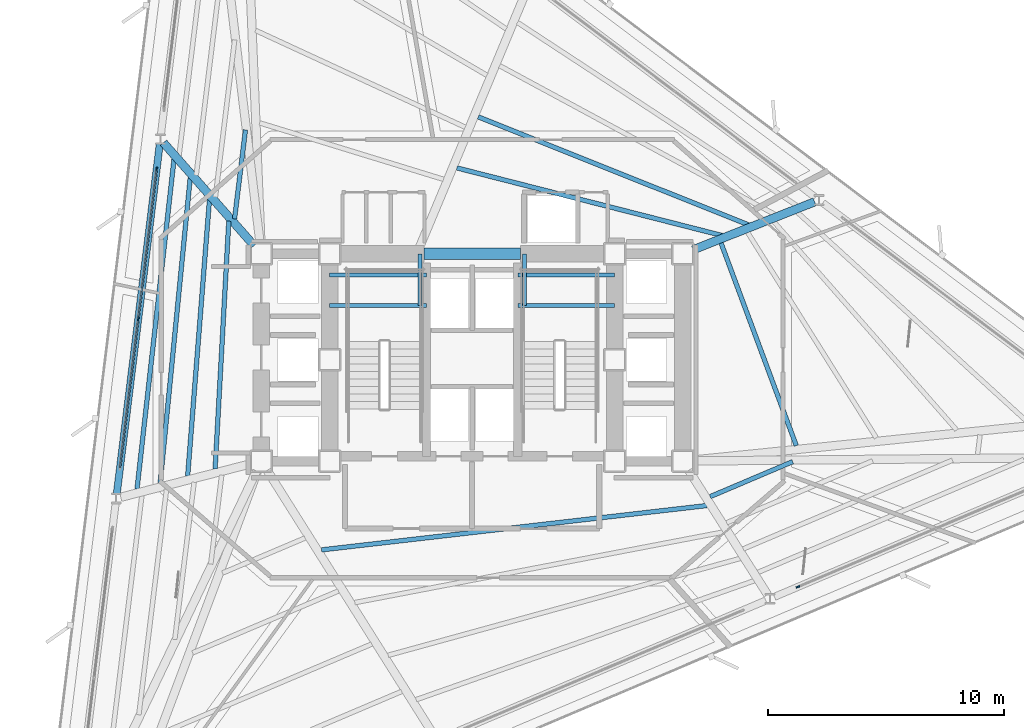
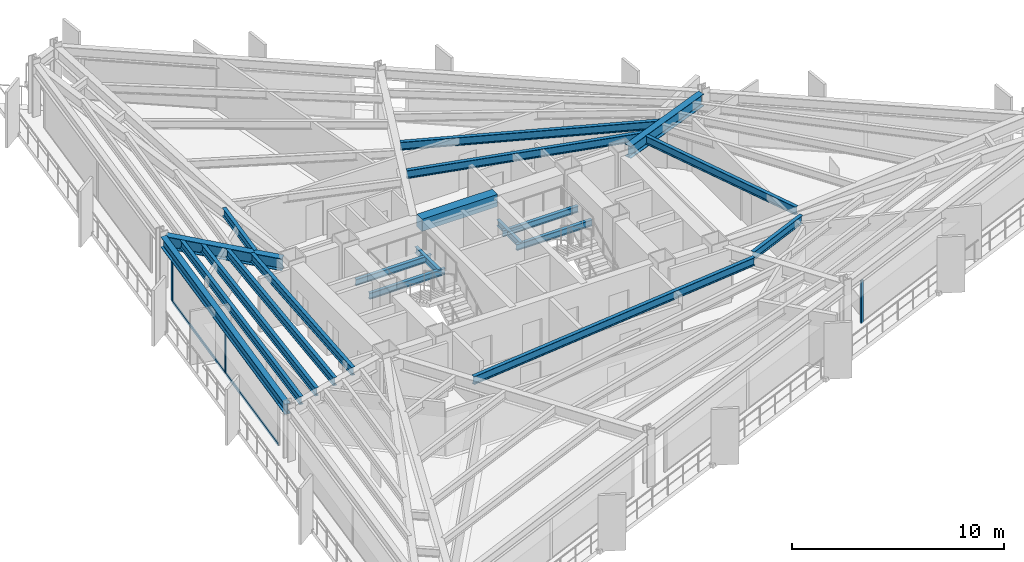
# One storey, part 3 of 13: 20 beams, 7 members, 2 elements without a shape of their own.
"""IFC4 building model written with IfcOpenShell, lengths in metres."""

from ifc_helpers import new_model, si_unit, direction, frame, origin, origin_2d, place, context, subcontext, project, spatial, rectangle, i_section, extrude, material, layer, layer_set, material_profile, profile_set, type_object, element, aggregate, save


model = new_model("IFC4")

# Units and contexts
model_context = context("Model", 3, precision=1e-05, world=origin(), true_north=direction((0.0, 1.0)))
body_context = subcontext(model_context, "Body", "Model", "MODEL_VIEW")
ifc_project = project(units=[si_unit("LENGTHUNIT", "METRE"), si_unit("AREAUNIT", "SQUARE_METRE"), si_unit("VOLUMEUNIT", "CUBIC_METRE"), si_unit("PLANEANGLEUNIT", "RADIAN"), si_unit("MASSUNIT", "GRAM", prefix="KILO")], contexts=[model_context])

# Site, building, storey
site_placement = place(None, origin())
site = spatial("IfcSite", under=ifc_project, at=site_placement, CompositionType="ELEMENT")
building_placement = place(site_placement, origin())
building = spatial("IfcBuilding", under=site, at=building_placement, Name="Rocaltana Carrier Exchange", CompositionType="ELEMENT")
storey_placement = place(building_placement, frame((0.0, 0.0, 69.760009765625)))
storey = spatial("IfcBuildingStorey", under=building, at=storey_placement, Name="L21", CompositionType="ELEMENT", Elevation=69.760009765625)

# Curtain wall, members
ifc_material_1 = material(Name="Aluminium 6063-T6", Category="aluminium")
ifc_layer = layer(ifc_material_1, 0.1650390625)
ifc_layer_set = layer_set([ifc_layer], Name="Aluminium 6063-T6")
curtain_wall_type = type_object("IfcCurtainWallType", Name="Lower-Mid Stepped Curtain Wall CW-02", PredefinedType="NOTDEFINED", material=ifc_layer_set)
curtain_wall_1_placement = place(storey_placement, origin())
curtain_wall_1 = element("IfcCurtainWall", 1, at=curtain_wall_1_placement, inside=storey, type_object=curtain_wall_type, Name="L21 CW-02 Run CW-L21-F2S2", PredefinedType="NOTDEFINED")
ifc_material_2 = material(Name="Aluminium 6063-T6", Category="aluminium")
ifc_material_profile_1 = material_profile(ifc_material_2, rectangle(XDim=0.06494140625, YDim=0.1650390625, at=origin_2d()), Name="AL-65X165")
ifc_profile_set_1 = profile_set([ifc_material_profile_1], Name="Aluminium 6063-T6")
member_type_1 = type_object("IfcMemberType", Name="CW-02 Mullion AL-65X165", PredefinedType="MULLION", material=ifc_profile_set_1)
member_1_placement = place(storey_placement, frame((-13.39404296875, 8.093505859375, 0.0), z_axis=(0.0, 0.0, 1.0), x_axis=(0.992545632614, -0.121873570472, 0.0)))
member_1 = element("IfcMember", 2, at=member_1_placement, type_object=member_type_1, Name="CW-02 mullion 1", PredefinedType="MULLION", context=body_context, shape_type="SweptSolid", body=[
    extrude(rectangle(XDim=0.06494140625, YDim=0.1650390625, at=origin_2d()), origin(), (0.0, 0.0, 1.0), 2.47802734375),
])
member_2_placement = place(storey_placement, frame((-14.17431640625, 1.740234375, 0.0), z_axis=(0.0, 0.0, 1.0), x_axis=(0.992545632614, -0.121873570472, 0.0)))
member_2 = element("IfcMember", 3, at=member_2_placement, type_object=member_type_1, Name="CW-02 mullion 2", PredefinedType="MULLION", context=body_context, shape_type="SweptSolid", body=[
    extrude(rectangle(XDim=0.06494140625, YDim=0.1650390625, at=origin_2d()), origin(), (0.0, 0.0, 1.0), 2.47802734375),
])

# Curtain wall, member
curtain_wall_2_placement = place(storey_placement, origin())
curtain_wall_2 = element("IfcCurtainWall", 4, at=curtain_wall_2_placement, inside=storey, type_object=curtain_wall_type, Name="L21 CW-02 Run CW-L21-F3S3", PredefinedType="NOTDEFINED")
member_3_placement = place(storey_placement, frame((13.8330078125, -9.642333984375, 0.0), z_axis=(0.0, 0.0, 1.0), x_axis=(-0.390735259141, 0.920503100084, 0.0)))
member_3 = element("IfcMember", 5, at=member_3_placement, type_object=member_type_1, Name="CW-02 mullion 1", PredefinedType="MULLION", context=body_context, shape_type="SweptSolid", body=[
    extrude(rectangle(XDim=0.06494140625, YDim=0.1650390625, at=origin_2d()), origin(), (0.0, 0.0, 1.0), 2.47802734375),
])
aggregate(curtain_wall_2, [member_3])

# Member
ifc_material_3 = material(Name="Aluminium 6063-T6", Category="aluminium")
ifc_material_profile_2 = material_profile(ifc_material_3, rectangle(XDim=0.06494140625, YDim=0.1650390625, at=origin_2d()), Name="AL-65X165")
ifc_profile_set_2 = profile_set([ifc_material_profile_2], Name="Aluminium 6063-T6")
member_type_2 = type_object("IfcMemberType", Name="CW-02 Transom AL-65X165", PredefinedType="USERDEFINED", material=ifc_profile_set_2)
member_4_placement = place(storey_placement, frame((-13.398193359375, 8.061279296875, 0.032470703125), z_axis=(-0.121881311797, -0.992544682034, 0.0), x_axis=(0.992544682034, -0.121881311797, 0.0)))
member_4 = element("IfcMember", 6, at=member_4_placement, type_object=member_type_2, Name="CW-02 transom 1.1", ObjectType="TRANSOM", PredefinedType="USERDEFINED", context=body_context, shape_type="SweptSolid", body=[
    extrude(rectangle(XDim=0.06494140625, YDim=0.1650390625, at=origin_2d()), origin(), (0.0, 0.0, 1.0), 6.335693359375),
])

member_5_placement = place(storey_placement, frame((-13.398193359375, 8.061279296875, 2.445556640625), z_axis=(-0.121881311797, -0.992544682034, 0.0), x_axis=(0.992544682034, -0.121881311797, 0.0)))
member_5 = element("IfcMember", 7, at=member_5_placement, type_object=member_type_2, Name="CW-02 transom 1.2", ObjectType="TRANSOM", PredefinedType="USERDEFINED", context=body_context, shape_type="SweptSolid", body=[
    extrude(rectangle(XDim=0.06494140625, YDim=0.1650390625, at=origin_2d()), origin(), (0.0, 0.0, 1.0), 6.335693359375),
])

member_6_placement = place(storey_placement, frame((-14.17822265625, 1.7080078125, 0.032470703125), z_axis=(-0.121881311797, -0.992544682034, 0.0), x_axis=(0.992544682034, -0.121881311797, 0.0)))
member_6 = element("IfcMember", 8, at=member_6_placement, type_object=member_type_2, Name="CW-02 transom 2.1", ObjectType="TRANSOM", PredefinedType="USERDEFINED", context=body_context, shape_type="SweptSolid", body=[
    extrude(rectangle(XDim=0.06494140625, YDim=0.1650390625, at=origin_2d()), origin(), (0.0, 0.0, 1.0), 6.335693359375),
])

member_7_placement = place(storey_placement, frame((-14.17822265625, 1.7080078125, 2.445556640625), z_axis=(-0.121881311797, -0.992544682034, 0.0), x_axis=(0.992544682034, -0.121881311797, 0.0)))
member_7 = element("IfcMember", 9, at=member_7_placement, type_object=member_type_2, Name="CW-02 transom 2.2", ObjectType="TRANSOM", PredefinedType="USERDEFINED", context=body_context, shape_type="SweptSolid", body=[
    extrude(rectangle(XDim=0.06494140625, YDim=0.1650390625, at=origin_2d()), origin(), (0.0, 0.0, 1.0), 6.335693359375),
])

aggregate(curtain_wall_1, [member_1, member_2, member_4, member_5, member_6, member_7])

# Beams
ifc_material_4 = material(Name="Concrete C60/75", Category="concrete")
ifc_material_profile_3 = material_profile(ifc_material_4, rectangle(XDim=0.5, YDim=0.699951171875, at=origin_2d()), Name="RC-BM-500X700")
ifc_profile_set_3 = profile_set([ifc_material_profile_3], Name="Concrete C60/75")
beam_type_1 = type_object("IfcBeamType", Name="Core Coupling Lintel 500x700", PredefinedType="LINTEL", material=ifc_profile_set_3)
beam_1_placement = place(storey_placement, frame((-2.050048828125, 4.5, 2.748046875), z_axis=(1.0, 0.0, 0.0), x_axis=(0.0, 1.0, 0.0)))
element("IfcBeam", 10, at=beam_1_placement, inside=storey, type_object=beam_type_1, Name="L21 Core Coupling Lintel CL-N", PredefinedType="LINTEL", context=body_context, shape_type="SweptSolid", body=[
    extrude(rectangle(XDim=0.5, YDim=0.699951171875, at=origin_2d()), origin(), (0.0, 0.0, 1.0), 4.10009765625),
])
ifc_material_5 = material(Name="Steel S355", Category="steel")
ifc_material_profile_4 = material_profile(ifc_material_5, i_section(OverallWidth=0.172119140625, OverallDepth=0.35791015625, WebThickness=0.0078125, FlangeThickness=0.01318359375, FilletRadius=0.011962890625, at=origin_2d()), Name="W14X38")
ifc_profile_set_4 = profile_set([ifc_material_profile_4], Name="Steel S355")
beam_type_2 = type_object("IfcBeamType", Name="Floor Joist W14X38", PredefinedType="JOIST", material=ifc_profile_set_4)
for number, where, z_axis, x_axis, name in (
    (11, (-6.050048828125, 2.300048828125, 1.301025390625), (1.0, 0.0, 0.0), (0.0, 1.0, 0.0), "L21 ST-1 Landing Carrier 1"),
    (12, (1.93994140625, 2.300048828125, 1.301025390625), (1.0, 0.0, 0.0), (0.0, 1.0, 0.0), "L21 ST-2 Landing Carrier 1"),
    (13, (-6.050048828125, 3.60009765625, 1.301025390625), (1.0, 0.0, 0.0), (0.0, 1.0, 0.0), "L21 ST-1 Landing Carrier 2"),
    (14, (1.93994140625, 3.60009765625, 1.301025390625), (1.0, 0.0, 0.0), (0.0, 1.0, 0.0), "L21 ST-2 Landing Carrier 2"),
):
    element("IfcBeam", number, at=place(storey_placement, frame(where, z_axis=z_axis, x_axis=x_axis)), inside=storey, type_object=beam_type_2, Name=name, PredefinedType="JOIST", context=body_context, shape_type="SweptSolid", body=[
        extrude(i_section(OverallWidth=0.172119140625, OverallDepth=0.35791015625, WebThickness=0.0078125, FlangeThickness=0.01318359375, FilletRadius=0.011962890625, at=origin_2d()), origin(), (0.0, 0.0, 1.0), 4.110107421875),
    ])
for number, where, z_axis, x_axis, name in (
    (15, (-2.219970703125, 2.300048828125, 1.301025390625), (0.0, 1.0, 0.0), (-1.0, 0.0, 0.0), "L21 ST-1 Landing Cross Trimmer"),
    (16, (2.219970703125, 2.300048828125, 1.301025390625), (0.0, 1.0, 0.0), (-1.0, 0.0, 0.0), "L21 ST-2 Landing Cross Trimmer"),
):
    element("IfcBeam", number, at=place(storey_placement, frame(where, z_axis=z_axis, x_axis=x_axis)), inside=storey, type_object=beam_type_2, Name=name, PredefinedType="JOIST", context=body_context, shape_type="SweptSolid", body=[
        extrude(i_section(OverallWidth=0.172119140625, OverallDepth=0.35791015625, WebThickness=0.0078125, FlangeThickness=0.01318359375, FilletRadius=0.011962890625, at=origin_2d()), origin(), (0.0, 0.0, 1.0), 2.199951171875),
    ])
ifc_material_6 = material(Name="Steel S355", Category="steel")
ifc_material_profile_5 = material_profile(ifc_material_6, i_section(OverallWidth=0.193115234375, OverallDepth=0.466064453125, WebThickness=0.011474609375, FlangeThickness=0.01904296875, FilletRadius=0.013916015625, at=origin_2d()), Name="W18X65")
ifc_profile_set_5 = profile_set([ifc_material_profile_5], Name="Steel S355")
beam_type_3 = type_object("IfcBeamType", Name="Floor Joist W18X65", PredefinedType="JOIST", material=ifc_profile_set_5)
beam_2_placement = place(storey_placement, frame((13.7646484375, -3.644287109375, 2.864990234375), z_axis=(-0.348190538878, 0.937423782841, 0.0), x_axis=(-0.937423782841, -0.348190538878, 0.0)))
element("IfcBeam", 17, at=beam_2_placement, inside=storey, type_object=beam_type_3, Name="FJ-L21-01-1", PredefinedType="JOIST", context=body_context, shape_type="SweptSolid", body=[
    extrude(i_section(OverallWidth=0.193115234375, OverallDepth=0.466064453125, WebThickness=0.011474609375, FlangeThickness=0.01904296875, FilletRadius=0.013916015625, at=origin_2d()), origin(), (0.0, 0.0, 1.0), 9.17333984375),
])
beam_3_placement = place(storey_placement, frame((10.633544921875, 5.272216796875, 2.864990234375), z_axis=(-0.969019358716, 0.246984781785, 0.0), x_axis=(-0.246984781785, -0.969019358716, 0.0)))
element("IfcBeam", 18, at=beam_3_placement, inside=storey, type_object=beam_type_3, Name="FJ-L21-02-1", PredefinedType="JOIST", context=body_context, shape_type="SweptSolid", body=[
    extrude(i_section(OverallWidth=0.193115234375, OverallDepth=0.466064453125, WebThickness=0.011474609375, FlangeThickness=0.01904296875, FilletRadius=0.013916015625, at=origin_2d()), origin(), (0.0, 0.0, 1.0), 11.639404296875),
])
beam_4_placement = place(storey_placement, frame((11.73876953125, 5.72705078125, 2.864990234375), z_axis=(-0.928527082135, 0.371264673436, 0.0), x_axis=(-0.371264673436, -0.928527082135, 0.0)))
element("IfcBeam", 19, at=beam_4_placement, inside=storey, type_object=beam_type_3, Name="FJ-L21-02-2", PredefinedType="JOIST", context=body_context, shape_type="SweptSolid", body=[
    extrude(i_section(OverallWidth=0.193115234375, OverallDepth=0.466064453125, WebThickness=0.011474609375, FlangeThickness=0.01904296875, FilletRadius=0.013916015625, at=origin_2d()), origin(), (0.0, 0.0, 1.0), 12.36083984375),
])
beam_5_placement = place(storey_placement, frame((-9.623046875, 9.76171875, 2.864990234375), z_axis=(-0.121879106214, -0.99254495287, 0.0), x_axis=(0.99254495287, -0.121879106214, 0.0)))
element("IfcBeam", 20, at=beam_5_placement, inside=storey, type_object=beam_type_3, Name="FJ-L21-05-1", PredefinedType="JOIST", context=body_context, shape_type="SweptSolid", body=[
    extrude(i_section(OverallWidth=0.193115234375, OverallDepth=0.466064453125, WebThickness=0.011474609375, FlangeThickness=0.01904296875, FilletRadius=0.013916015625, at=origin_2d()), origin(), (0.0, 0.0, 1.0), 3.805908203125),
])
beam_6_placement = place(storey_placement, frame((-10.33154296875, 5.885986328125, 2.864990234375), z_axis=(-0.055068403042, -0.998482584218, 0.0), x_axis=(0.998482584218, -0.055068403042, 0.0)))
element("IfcBeam", 21, at=beam_6_placement, inside=storey, type_object=beam_type_3, Name="FJ-L21-06-1", PredefinedType="JOIST", context=body_context, shape_type="SweptSolid", body=[
    extrude(i_section(OverallWidth=0.193115234375, OverallDepth=0.466064453125, WebThickness=0.011474609375, FlangeThickness=0.01904296875, FilletRadius=0.013916015625, at=origin_2d()), origin(), (0.0, 0.0, 1.0), 10.5380859375),
])
beam_7_placement = place(storey_placement, frame((-11.150390625, 6.810791015625, 2.864990234375), z_axis=(-0.078741493591, -0.996895068293, 0.0), x_axis=(0.996895068293, -0.078741493591, 0.0)))
element("IfcBeam", 22, at=beam_7_placement, inside=storey, type_object=beam_type_3, Name="FJ-L21-06-2", PredefinedType="JOIST", context=body_context, shape_type="SweptSolid", body=[
    extrude(i_section(OverallWidth=0.193115234375, OverallDepth=0.466064453125, WebThickness=0.011474609375, FlangeThickness=0.01904296875, FilletRadius=0.013916015625, at=origin_2d()), origin(), (0.0, 0.0, 1.0), 11.78515625),
])
beam_8_placement = place(storey_placement, frame((-11.96826171875, 7.73583984375, 2.864990234375), z_axis=(-0.097972183255, -0.995189153532, 0.0), x_axis=(0.995189153532, -0.097972183255, 0.0)))
element("IfcBeam", 23, at=beam_8_placement, inside=storey, type_object=beam_type_3, Name="FJ-L21-06-3", PredefinedType="JOIST", context=body_context, shape_type="SweptSolid", body=[
    extrude(i_section(OverallWidth=0.193115234375, OverallDepth=0.466064453125, WebThickness=0.011474609375, FlangeThickness=0.01904296875, FilletRadius=0.013916015625, at=origin_2d()), origin(), (0.0, 0.0, 1.0), 13.037841796875),
])
beam_9_placement = place(storey_placement, frame((-12.65673828125, 8.5146484375, 2.864990234375), z_axis=(-0.111539715424, -0.993759976998, 0.0), x_axis=(0.993759976998, -0.111539715424, 0.0)))
element("IfcBeam", 24, at=beam_9_placement, inside=storey, type_object=beam_type_3, Name="FJ-L21-06-4", PredefinedType="JOIST", context=body_context, shape_type="SweptSolid", body=[
    extrude(i_section(OverallWidth=0.193115234375, OverallDepth=0.466064453125, WebThickness=0.011474609375, FlangeThickness=0.01904296875, FilletRadius=0.013916015625, at=origin_2d()), origin(), (0.0, 0.0, 1.0), 14.095947265625),
])
beam_10_placement = place(storey_placement, frame((-6.393310546875, -8.071533203125, 2.864990234375), z_axis=(0.993445833528, 0.114303875027, 0.0), x_axis=(-0.114303875027, 0.993445833528, 0.0)))
element("IfcBeam", 25, at=beam_10_placement, inside=storey, type_object=beam_type_3, Name="FJ-L21-10-1", PredefinedType="JOIST", context=body_context, shape_type="SweptSolid", body=[
    extrude(i_section(OverallWidth=0.193115234375, OverallDepth=0.466064453125, WebThickness=0.011474609375, FlangeThickness=0.01904296875, FilletRadius=0.013916015625, at=origin_2d()), origin(), (0.0, 0.0, 1.0), 16.465576171875),
])
beam_11_placement = place(storey_placement, frame((10.107421875, -5.810791015625, 2.864990234375), z_axis=(0.920496503987, 0.390750798013, 0.0), x_axis=(-0.390750798013, 0.920496503987, 0.0)))
element("IfcBeam", 26, at=beam_11_placement, inside=storey, type_object=beam_type_3, Name="FJ-L21-11-1", PredefinedType="JOIST", context=body_context, shape_type="SweptSolid", body=[
    extrude(i_section(OverallWidth=0.193115234375, OverallDepth=0.466064453125, WebThickness=0.011474609375, FlangeThickness=0.01904296875, FilletRadius=0.013916015625, at=origin_2d()), origin(), (0.0, 0.0, 1.0), 3.80615234375),
])
ifc_material_7 = material(Name="Steel S355", Category="steel")
ifc_material_profile_6 = material_profile(ifc_material_7, i_section(OverallWidth=0.35498046875, OverallDepth=0.695068359375, WebThickness=0.015380859375, FlangeThickness=0.02490234375, FilletRadius=0.01806640625, at=origin_2d()), Name="W27X146")
ifc_profile_set_6 = profile_set([ifc_material_profile_6], Name="Steel S355")
beam_type_4 = type_object("IfcBeamType", Name="Radial Girder W27X146", PredefinedType="BEAM", material=ifc_profile_set_6)
beam_12_placement = place(storey_placement, frame((9.384521484375, 4.67138671875, 2.75048828125), z_axis=(0.93018805463, 0.367083346153, 0.0), x_axis=(-0.367083346153, 0.93018805463, 0.0)))
element("IfcBeam", 27, at=beam_12_placement, inside=storey, type_object=beam_type_4, Name="RG-L21-02", PredefinedType="BEAM", context=body_context, shape_type="SweptSolid", body=[
    extrude(i_section(OverallWidth=0.35498046875, OverallDepth=0.695068359375, WebThickness=0.015380859375, FlangeThickness=0.02490234375, FilletRadius=0.01806640625, at=origin_2d()), origin(), (0.0, 0.0, 1.0), 5.546142578125),
])
beam_13_placement = place(storey_placement, frame((-9.2587890625, 4.850341796875, 2.75048828125), z_axis=(-0.661091296073, 0.750305469963, 0.0), x_axis=(-0.750305469963, -0.661091296073, 0.0)))
element("IfcBeam", 28, at=beam_13_placement, inside=storey, type_object=beam_type_4, Name="RG-L21-06", PredefinedType="BEAM", context=body_context, shape_type="SweptSolid", body=[
    extrude(i_section(OverallWidth=0.35498046875, OverallDepth=0.695068359375, WebThickness=0.015380859375, FlangeThickness=0.02490234375, FilletRadius=0.01806640625, at=origin_2d()), origin(), (0.0, 0.0, 1.0), 5.81787109375),
])
ifc_material_8 = material(Name="Steel S355", Category="steel")
ifc_material_profile_7 = material_profile(ifc_material_8, i_section(OverallWidth=0.300048828125, OverallDepth=0.60009765625, WebThickness=0.015380859375, FlangeThickness=0.030029296875, FilletRadius=0.027099609375, at=origin_2d()), Name="HEB600")
ifc_profile_set_7 = profile_set([ifc_material_profile_7], Name="Steel S355")
beam_type_5 = type_object("IfcBeamType", Name="Spandrel Edge Beam HEB600", PredefinedType="SPANDREL", material=ifc_profile_set_7)
beam_14_placement = place(storey_placement, frame((-13.262451171875, 9.1669921875, 2.798095703125), z_axis=(-0.121867898519, -0.99254632905, 0.0), x_axis=(0.99254632905, -0.121867898519, 0.0)))
element("IfcBeam", 29, at=beam_14_placement, inside=storey, type_object=beam_type_5, Name="SP-L21-06", PredefinedType="SPANDREL", context=body_context, shape_type="SweptSolid", body=[
    extrude(i_section(OverallWidth=0.300048828125, OverallDepth=0.60009765625, WebThickness=0.015380859375, FlangeThickness=0.030029296875, FilletRadius=0.027099609375, at=origin_2d()), origin(), (0.0, 0.0, 1.0), 14.96484375),
])

save(model, "model.ifc")
